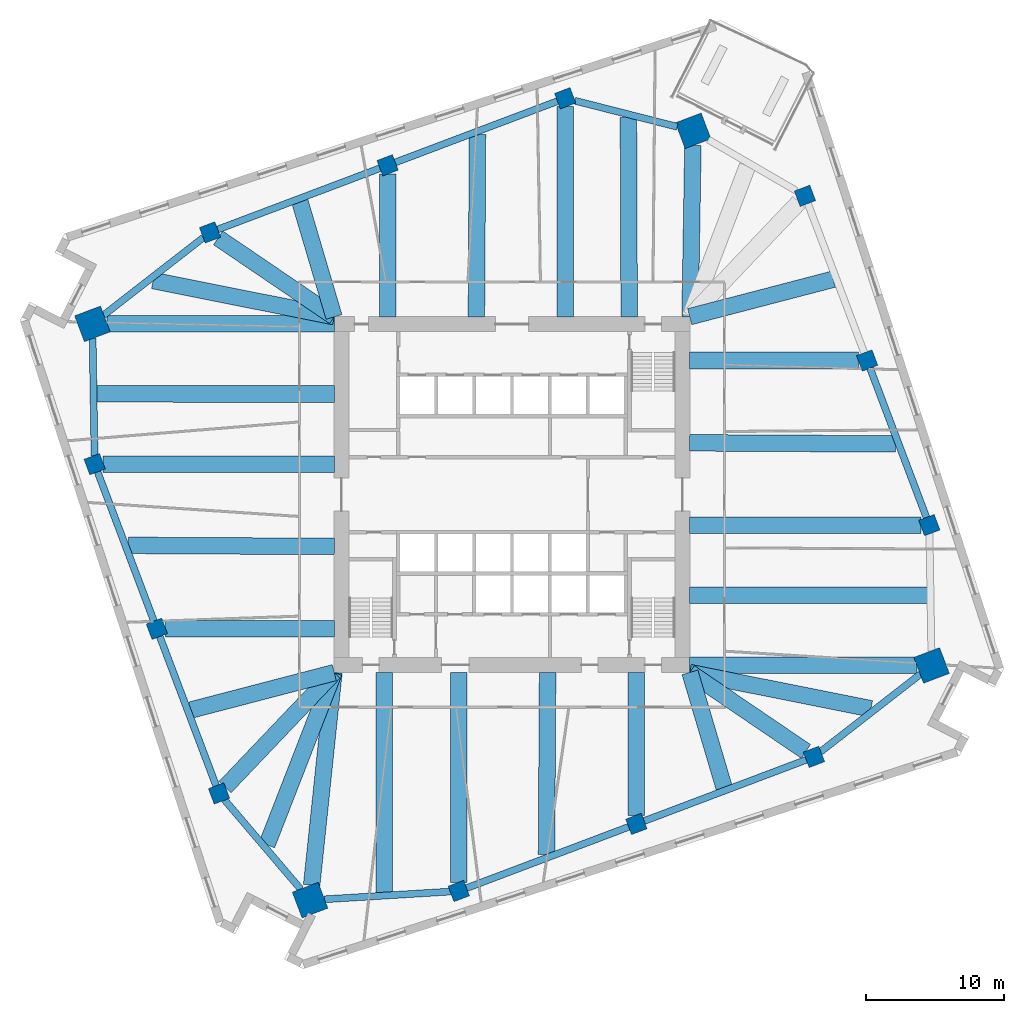
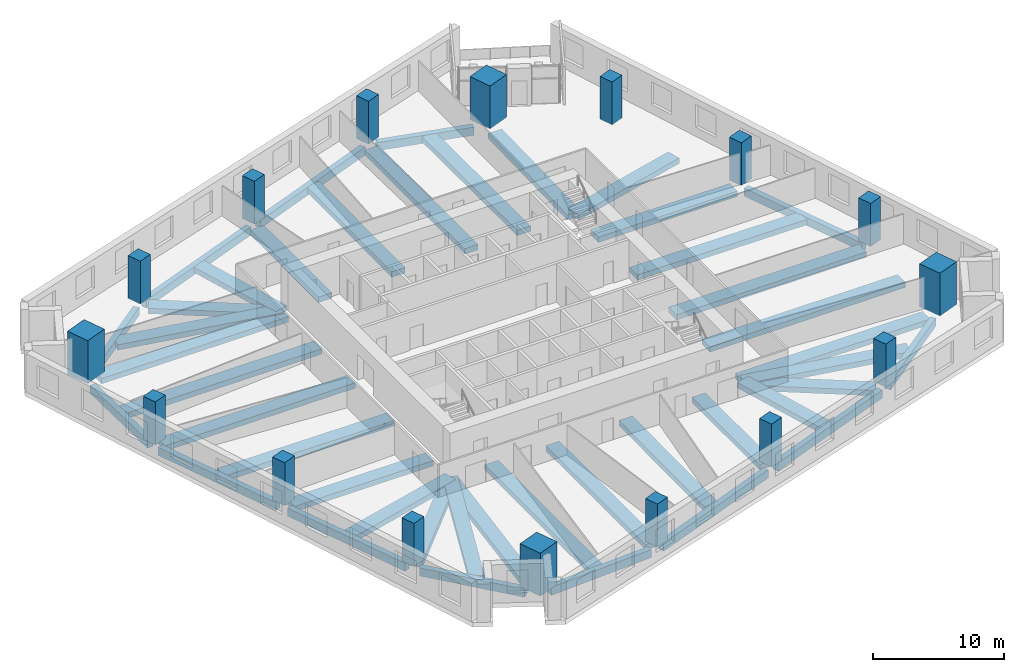
# One storey, part 1 of 12: 43 beams, 16 columns.
"""IFC4 building model written with IfcOpenShell, lengths in metres."""

from ifc_helpers import new_model, si_unit, direction, frame, origin, origin_2d, place, context, subcontext, project, spatial, rectangle, extrude, material, material_profile, profile_set, type_object, element, save


model = new_model("IFC4")

# Units and contexts
model_context = context("Model", 3, precision=1e-05, world=origin(), true_north=direction((0.0, 1.0)))
body_context = subcontext(model_context, "Body", "Model", "MODEL_VIEW")
ifc_project = project(units=[si_unit("LENGTHUNIT", "METRE"), si_unit("AREAUNIT", "SQUARE_METRE"), si_unit("VOLUMEUNIT", "CUBIC_METRE"), si_unit("PLANEANGLEUNIT", "RADIAN"), si_unit("MASSUNIT", "GRAM", prefix="KILO")], contexts=[model_context])

# Site, building, storey
site_placement = place(None, origin())
site = spatial("IfcSite", under=ifc_project, at=site_placement, CompositionType="ELEMENT")
building_placement = place(site_placement, origin())
building = spatial("IfcBuilding", under=site, at=building_placement, Name="Dilmun Exchange Tower", CompositionType="ELEMENT")
storey_placement = place(building_placement, frame((0.0, 0.0, 90.10009765625)))
storey = spatial("IfcBuildingStorey", under=building, at=storey_placement, Name="L20", CompositionType="ELEMENT", Elevation=90.10009765625)

# Columns
ifc_material_1 = material(Name="Concrete C70/85", Category="concrete")
ifc_material_profile_1 = material_profile(ifc_material_1, rectangle(XDim=2.0, YDim=2.0, at=origin_2d()), Name="2000 x 2000")
ifc_profile_set_1 = profile_set([ifc_material_profile_1], Name="Concrete C70/85")
column_type_1 = type_object("IfcColumnType", Name="RC mega column 2000 x 2000 C70/85", PredefinedType="COLUMN", material=ifc_profile_set_1)
for number, where, z_axis, x_axis, name in (
    (1, (13.1220703125, 26.35400390625, 0.0), (0.0, 0.0, 1.0), (0.935491525991, 0.353349125935, 0.0), "Mega column M1"),
    (2, (-30.39404296875, 12.37109375, 0.0), (0.0, 0.0, 1.0), (0.935491525991, 0.353349125935, 0.0), "Mega column M2"),
    (3, (-14.6259765625, -29.3759765625, 0.0), (0.0, 0.0, 1.0), (0.935491525991, 0.353349125935, 0.0), "Mega column M3"),
    (4, (30.39404296875, -12.37109375, 0.0), (0.0, 0.0, 1.0), (0.935491525991, 0.353349125935, 0.0), "Mega column M4"),
):
    element("IfcColumn", number, at=place(storey_placement, frame(where, z_axis=z_axis, x_axis=x_axis)), inside=storey, type_object=column_type_1, Name=name, PredefinedType="COLUMN", context=body_context, shape_type="SweptSolid", body=[
        extrude(rectangle(XDim=2.0, YDim=2.0, at=origin_2d()), origin(), (0.0, 0.0, 1.0), 4.0),
    ])
ifc_material_profile_2 = material_profile(ifc_material_1, rectangle(XDim=1.199951171875, YDim=1.199951171875, at=origin_2d()), Name="1200 x 1200")
ifc_profile_set_2 = profile_set([ifc_material_profile_2], Name="Concrete C70/85")
column_type_2 = type_object("IfcColumnType", Name="RC ring column 1200 x 1200 C70/85", PredefinedType="COLUMN", material=ifc_profile_set_2)
for number, where, z_axis, x_axis, name in (
    (5, (3.85302734375, 28.714111328125, 0.0), (0.0, 0.0, 1.0), (0.935491525991, 0.353349125935, 0.0), "Ring column R01"),
    (6, (-9.010009765625, 23.85498046875, 0.0), (0.0, 0.0, 1.0), (0.935491525991, 0.353349125935, 0.0), "Ring column R02"),
    (7, (-21.873046875, 18.99609375, 0.0), (0.0, 0.0, 1.0), (0.935491525991, 0.353349125935, 0.0), "Ring column R03"),
    (8, (-30.23095703125, 2.2099609375, 0.0), (0.0, 0.0, 1.0), (0.935491525991, 0.353349125935, 0.0), "Ring column R04"),
    (9, (-25.72607421875, -9.717041015625, 0.0), (0.0, 0.0, 1.0), (0.935491525991, 0.353349125935, 0.0), "Ring column R05"),
    (10, (-21.220947265625, -21.64501953125, 0.0), (0.0, 0.0, 1.0), (0.935491525991, 0.353349125935, 0.0), "Ring column R06"),
    (11, (-3.85302734375, -28.714111328125, 0.0), (0.0, 0.0, 1.0), (0.935491525991, 0.353349125935, 0.0), "Ring column R07"),
    (12, (9.010009765625, -23.85498046875, 0.0), (0.0, 0.0, 1.0), (0.935491525991, 0.353349125935, 0.0), "Ring column R08"),
    (13, (21.873046875, -18.99609375, 0.0), (0.0, 0.0, 1.0), (0.935491525991, 0.353349125935, 0.0), "Ring column R09"),
    (14, (30.23095703125, -2.2099609375, 0.0), (0.0, 0.0, 1.0), (0.935491525991, 0.353349125935, 0.0), "Ring column R10"),
    (15, (25.72607421875, 9.717041015625, 0.0), (0.0, 0.0, 1.0), (0.935491525991, 0.353349125935, 0.0), "Ring column R11"),
    (16, (21.220947265625, 21.64501953125, 0.0), (0.0, 0.0, 1.0), (0.935491525991, 0.353349125935, 0.0), "Ring column R12"),
):
    element("IfcColumn", number, at=place(storey_placement, frame(where, z_axis=z_axis, x_axis=x_axis)), inside=storey, type_object=column_type_2, Name=name, PredefinedType="COLUMN", context=body_context, shape_type="SweptSolid", body=[
        extrude(rectangle(XDim=1.199951171875, YDim=1.199951171875, at=origin_2d()), origin(), (0.0, 0.0, 1.0), 4.0),
    ])

# Beams
ifc_material_2 = material(Name="Concrete C40/50", Category="concrete")
ifc_material_profile_3 = material_profile(ifc_material_2, rectangle(XDim=1.199951171875, YDim=0.5, at=origin_2d()), Name="1200 x 500")
ifc_profile_set_3 = profile_set([ifc_material_profile_3], Name="Concrete C40/50")
beam_type_1 = type_object("IfcBeamType", Name="RC band beam 1200 x 500 C40/50", PredefinedType="BEAM", material=ifc_profile_set_3)
beam_1_placement = place(storey_placement, frame((13.104736328125, 25.305419921875, -0.77001953125), z_axis=(-0.016493249431, -0.99986397711, 0.0), x_axis=(0.99986397711, -0.016493249431, 0.0)))
element("IfcBeam", 17, at=beam_1_placement, inside=storey, type_object=beam_type_1, Name="Band beam 1", PredefinedType="BEAM", context=body_context, shape_type="SweptSolid", body=[
    extrude(rectangle(XDim=1.199951171875, YDim=0.5, at=origin_2d()), origin(), (0.0, 0.0, 1.0), 12.43408203125),
])
beam_2_placement = place(storey_placement, frame((3.85302734375, 28.099609375, -0.77001953125), z_axis=(0.0, -1.0, 0.0), x_axis=(1.0, 0.0, 0.0)))
element("IfcBeam", 18, at=beam_2_placement, inside=storey, type_object=beam_type_1, Name="Band beam 2", PredefinedType="BEAM", context=body_context, shape_type="SweptSolid", body=[
    extrude(rectangle(XDim=1.199951171875, YDim=0.5, at=origin_2d()), origin(), (0.0, 0.0, 1.0), 15.2265625),
])
beam_3_placement = place(storey_placement, frame((-9.010009765625, 23.240478515625, -0.77001953125), z_axis=(0.0, -1.0, 0.0), x_axis=(1.0, 0.0, 0.0)))
element("IfcBeam", 19, at=beam_3_placement, inside=storey, type_object=beam_type_1, Name="Band beam 3", PredefinedType="BEAM", context=body_context, shape_type="SweptSolid", body=[
    extrude(rectangle(XDim=1.199951171875, YDim=0.5, at=origin_2d()), origin(), (0.0, 0.0, 1.0), 10.367431640625),
])
beam_4_placement = place(storey_placement, frame((-21.28857421875, 18.59912109375, -0.77001953125), z_axis=(0.827157308771, -0.561970449888, 0.0), x_axis=(0.561970449888, 0.827157308771, 0.0)))
element("IfcBeam", 20, at=beam_4_placement, inside=storey, type_object=beam_type_1, Name="Band beam 4", PredefinedType="BEAM", context=body_context, shape_type="SweptSolid", body=[
    extrude(rectangle(XDim=1.199951171875, YDim=0.5, at=origin_2d()), origin(), (0.0, 0.0, 1.0), 10.16845703125),
])
beam_5_placement = place(storey_placement, frame((-29.35205078125, 12.37109375, -0.77001953125), z_axis=(1.0, 0.0, 0.0), x_axis=(0.0, 1.0, 0.0)))
element("IfcBeam", 21, at=beam_5_placement, inside=storey, type_object=beam_type_1, Name="Band beam 5", PredefinedType="BEAM", context=body_context, shape_type="SweptSolid", body=[
    extrude(rectangle(XDim=1.199951171875, YDim=0.5, at=origin_2d()), origin(), (0.0, 0.0, 1.0), 16.47900390625),
])
beam_6_placement = place(storey_placement, frame((-29.61669921875, 2.2099609375, -0.77001953125), z_axis=(1.0, 0.0, 0.0), x_axis=(0.0, 1.0, 0.0)))
element("IfcBeam", 22, at=beam_6_placement, inside=storey, type_object=beam_type_1, Name="Band beam 6", PredefinedType="BEAM", context=body_context, shape_type="SweptSolid", body=[
    extrude(rectangle(XDim=1.199951171875, YDim=0.5, at=origin_2d()), origin(), (0.0, 0.0, 1.0), 16.74365234375),
])
beam_7_placement = place(storey_placement, frame((-25.111572265625, -9.717041015625, -0.77001953125), z_axis=(1.0, 0.0, 0.0), x_axis=(0.0, 1.0, 0.0)))
element("IfcBeam", 23, at=beam_7_placement, inside=storey, type_object=beam_type_1, Name="Band beam 7", PredefinedType="BEAM", context=body_context, shape_type="SweptSolid", body=[
    extrude(rectangle(XDim=1.199951171875, YDim=0.5, at=origin_2d()), origin(), (0.0, 0.0, 1.0), 12.238525390625),
])
beam_8_placement = place(storey_placement, frame((-20.780517578125, -21.181884765625, -0.77001953125), z_axis=(0.689333244672, 0.724444392476, 0.0), x_axis=(-0.724444392476, 0.689333244672, 0.0)))
element("IfcBeam", 24, at=beam_8_placement, inside=storey, type_object=beam_type_1, Name="Band beam 8", PredefinedType="BEAM", context=body_context, shape_type="SweptSolid", body=[
    extrude(rectangle(XDim=1.199951171875, YDim=0.5, at=origin_2d()), origin(), (0.0, 0.0, 1.0), 11.459228515625),
])
beam_9_placement = place(storey_placement, frame((-14.51220703125, -28.289794921875, -0.77001953125), z_axis=(0.104185478447, 0.994557884731, 0.0), x_axis=(-0.994557884731, 0.104185478447, 0.0)))
element("IfcBeam", 25, at=beam_9_placement, inside=storey, type_object=beam_type_1, Name="Band beam 9", PredefinedType="BEAM", context=body_context, shape_type="SweptSolid", body=[
    extrude(rectangle(XDim=1.199951171875, YDim=0.5, at=origin_2d()), origin(), (0.0, 0.0, 1.0), 15.501220703125),
])
beam_10_placement = place(storey_placement, frame((-3.85302734375, -28.099609375, -0.77001953125), z_axis=(0.0, 1.0, 0.0), x_axis=(-1.0, 0.0, 0.0)))
element("IfcBeam", 26, at=beam_10_placement, inside=storey, type_object=beam_type_1, Name="Band beam 10", PredefinedType="BEAM", context=body_context, shape_type="SweptSolid", body=[
    extrude(rectangle(XDim=1.199951171875, YDim=0.5, at=origin_2d()), origin(), (0.0, 0.0, 1.0), 15.2265625),
])
beam_11_placement = place(storey_placement, frame((9.010009765625, -23.240478515625, -0.77001953125), z_axis=(0.0, 1.0, 0.0), x_axis=(-1.0, 0.0, 0.0)))
element("IfcBeam", 27, at=beam_11_placement, inside=storey, type_object=beam_type_1, Name="Band beam 11", PredefinedType="BEAM", context=body_context, shape_type="SweptSolid", body=[
    extrude(rectangle(XDim=1.199951171875, YDim=0.5, at=origin_2d()), origin(), (0.0, 0.0, 1.0), 10.367431640625),
])
beam_12_placement = place(storey_placement, frame((21.28857421875, -18.59912109375, -0.77001953125), z_axis=(-0.827157308771, 0.561970449888, 0.0), x_axis=(-0.561970449888, -0.827157308771, 0.0)))
element("IfcBeam", 28, at=beam_12_placement, inside=storey, type_object=beam_type_1, Name="Band beam 12", PredefinedType="BEAM", context=body_context, shape_type="SweptSolid", body=[
    extrude(rectangle(XDim=1.199951171875, YDim=0.5, at=origin_2d()), origin(), (0.0, 0.0, 1.0), 10.16845703125),
])
beam_13_placement = place(storey_placement, frame((29.35205078125, -12.37109375, -0.77001953125), z_axis=(-1.0, 0.0, 0.0), x_axis=(0.0, -1.0, 0.0)))
element("IfcBeam", 29, at=beam_13_placement, inside=storey, type_object=beam_type_1, Name="Band beam 13", PredefinedType="BEAM", context=body_context, shape_type="SweptSolid", body=[
    extrude(rectangle(XDim=1.199951171875, YDim=0.5, at=origin_2d()), origin(), (0.0, 0.0, 1.0), 16.47900390625),
])
beam_14_placement = place(storey_placement, frame((29.61669921875, -2.2099609375, -0.77001953125), z_axis=(-1.0, 0.0, 0.0), x_axis=(0.0, -1.0, 0.0)))
element("IfcBeam", 30, at=beam_14_placement, inside=storey, type_object=beam_type_1, Name="Band beam 14", PredefinedType="BEAM", context=body_context, shape_type="SweptSolid", body=[
    extrude(rectangle(XDim=1.199951171875, YDim=0.5, at=origin_2d()), origin(), (0.0, 0.0, 1.0), 16.74365234375),
])
beam_15_placement = place(storey_placement, frame((25.111572265625, 9.717041015625, -0.77001953125), z_axis=(-1.0, 0.0, 0.0), x_axis=(0.0, -1.0, 0.0)))
element("IfcBeam", 31, at=beam_15_placement, inside=storey, type_object=beam_type_1, Name="Band beam 15", PredefinedType="BEAM", context=body_context, shape_type="SweptSolid", body=[
    extrude(rectangle(XDim=1.199951171875, YDim=0.5, at=origin_2d()), origin(), (0.0, 0.0, 1.0), 12.238525390625),
])
beam_16_placement = place(storey_placement, frame((8.4326171875, 27.31787109375, -0.670166015625), z_axis=(0.003802832253, -0.999992769207, 0.0), x_axis=(0.999992769207, 0.003802832253, 0.0)))
element("IfcBeam", 32, at=beam_16_placement, inside=storey, type_object=beam_type_1, Name="Band beam 17", PredefinedType="BEAM", context=body_context, shape_type="SweptSolid", body=[
    extrude(rectangle(XDim=1.199951171875, YDim=0.5, at=origin_2d()), origin(), (0.0, 0.0, 1.0), 14.44482421875),
])
beam_17_placement = place(storey_placement, frame((-2.499755859375, 26.075927734375, -0.670166015625), z_axis=(-0.005972637047, -0.999982163644, 0.0), x_axis=(0.999982163644, -0.005972637047, 0.0)))
element("IfcBeam", 33, at=beam_17_placement, inside=storey, type_object=beam_type_1, Name="Band beam 18", PredefinedType="BEAM", context=body_context, shape_type="SweptSolid", body=[
    extrude(rectangle(XDim=1.199951171875, YDim=0.5, at=origin_2d()), origin(), (0.0, 0.0, 1.0), 13.203125),
])
beam_18_placement = place(storey_placement, frame((-15.36279296875, 21.216796875, -0.670166015625), z_axis=(0.283932601838, -0.958844240538, 0.0), x_axis=(0.958844240538, 0.283932601838, 0.0)))
element("IfcBeam", 34, at=beam_18_placement, inside=storey, type_object=beam_type_1, Name="Band beam 19", PredefinedType="BEAM", context=body_context, shape_type="SweptSolid", body=[
    extrude(rectangle(XDim=1.199951171875, YDim=0.5, at=origin_2d()), origin(), (0.0, 0.0, 1.0), 8.700927734375),
])
beam_19_placement = place(storey_placement, frame((-25.99658203125, 15.50732421875, -0.670166015625), z_axis=(0.980746640289, -0.19528447855, 0.0), x_axis=(0.19528447855, 0.980746640289, 0.0)))
element("IfcBeam", 35, at=beam_19_placement, inside=storey, type_object=beam_type_1, Name="Band beam 20", PredefinedType="BEAM", context=body_context, shape_type="SweptSolid", body=[
    extrude(rectangle(XDim=1.199951171875, YDim=0.5, at=origin_2d()), origin(), (0.0, 0.0, 1.0), 13.380615234375),
])
beam_20_placement = place(storey_placement, frame((-30.089599609375, 7.294189453125, -0.670166015625), z_axis=(0.999999977378, -0.000212708627, 0.0), x_axis=(0.000212708627, 0.999999977378, 0.0)))
element("IfcBeam", 36, at=beam_20_placement, inside=storey, type_object=beam_type_1, Name="Band beam 21", PredefinedType="BEAM", context=body_context, shape_type="SweptSolid", body=[
    extrude(rectangle(XDim=1.199951171875, YDim=0.5, at=origin_2d()), origin(), (0.0, 0.0, 1.0), 17.216552734375),
])
beam_21_placement = place(storey_placement, frame((-27.77001953125, -3.6748046875, -0.670166015625), z_axis=(0.999986076233, -0.005277057861, 0.0), x_axis=(0.005277057861, 0.999986076233, 0.0)))
element("IfcBeam", 37, at=beam_21_placement, inside=storey, type_object=beam_type_1, Name="Band beam 22", PredefinedType="BEAM", context=body_context, shape_type="SweptSolid", body=[
    extrude(rectangle(XDim=1.199951171875, YDim=0.5, at=origin_2d()), origin(), (0.0, 0.0, 1.0), 14.897216796875),
])
beam_22_placement = place(storey_placement, frame((-23.264892578125, -15.602294921875, -0.670166015625), z_axis=(0.967651305888, 0.252291399404, 0.0), x_axis=(-0.252291399404, 0.967651305888, 0.0)))
element("IfcBeam", 38, at=beam_22_placement, inside=storey, type_object=beam_type_1, Name="Band beam 23", PredefinedType="BEAM", context=body_context, shape_type="SweptSolid", body=[
    extrude(rectangle(XDim=1.199951171875, YDim=0.5, at=origin_2d()), origin(), (0.0, 0.0, 1.0), 10.738525390625),
])
beam_23_placement = place(storey_placement, frame((-17.75390625, -25.36572265625, -0.670166015625), z_axis=(0.362868113779, 0.931840507814, 0.0), x_axis=(-0.931840507814, 0.362868113779, 0.0)))
element("IfcBeam", 39, at=beam_23_placement, inside=storey, type_object=beam_type_1, Name="Band beam 24", PredefinedType="BEAM", context=body_context, shape_type="SweptSolid", body=[
    extrude(rectangle(XDim=1.199951171875, YDim=0.5, at=origin_2d()), origin(), (0.0, 0.0, 1.0), 13.404296875),
])
beam_24_placement = place(storey_placement, frame((-9.253173828125, -28.822509765625, -0.670166015625), z_axis=(0.000857199397, 0.999999632605, 0.0), x_axis=(-0.999999632605, 0.000857199397, 0.0)))
element("IfcBeam", 40, at=beam_24_placement, inside=storey, type_object=beam_type_1, Name="Band beam 25", PredefinedType="BEAM", context=body_context, shape_type="SweptSolid", body=[
    extrude(rectangle(XDim=1.199951171875, YDim=0.5, at=origin_2d()), origin(), (0.0, 0.0, 1.0), 15.949462890625),
])
beam_25_placement = place(storey_placement, frame((2.499755859375, -26.075927734375, -0.670166015625), z_axis=(0.005972637047, 0.999982163644, 0.0), x_axis=(-0.999982163644, 0.005972637047, 0.0)))
element("IfcBeam", 41, at=beam_25_placement, inside=storey, type_object=beam_type_1, Name="Band beam 26", PredefinedType="BEAM", context=body_context, shape_type="SweptSolid", body=[
    extrude(rectangle(XDim=1.199951171875, YDim=0.5, at=origin_2d()), origin(), (0.0, 0.0, 1.0), 13.203125),
])
beam_26_placement = place(storey_placement, frame((15.36279296875, -21.216796875, -0.670166015625), z_axis=(-0.283932601838, 0.958844240538, 0.0), x_axis=(-0.958844240538, -0.283932601838, 0.0)))
element("IfcBeam", 42, at=beam_26_placement, inside=storey, type_object=beam_type_1, Name="Band beam 27", PredefinedType="BEAM", context=body_context, shape_type="SweptSolid", body=[
    extrude(rectangle(XDim=1.199951171875, YDim=0.5, at=origin_2d()), origin(), (0.0, 0.0, 1.0), 8.700927734375),
])
beam_27_placement = place(storey_placement, frame((25.99658203125, -15.50732421875, -0.670166015625), z_axis=(-0.980746640289, 0.19528447855, 0.0), x_axis=(-0.19528447855, -0.980746640289, 0.0)))
element("IfcBeam", 43, at=beam_27_placement, inside=storey, type_object=beam_type_1, Name="Band beam 28", PredefinedType="BEAM", context=body_context, shape_type="SweptSolid", body=[
    extrude(rectangle(XDim=1.199951171875, YDim=0.5, at=origin_2d()), origin(), (0.0, 0.0, 1.0), 13.380615234375),
])
beam_28_placement = place(storey_placement, frame((30.089599609375, -7.294189453125, -0.670166015625), z_axis=(-0.999999977378, 0.000212708627, 0.0), x_axis=(-0.000212708627, -0.999999977378, 0.0)))
element("IfcBeam", 44, at=beam_28_placement, inside=storey, type_object=beam_type_1, Name="Band beam 29", PredefinedType="BEAM", context=body_context, shape_type="SweptSolid", body=[
    extrude(rectangle(XDim=1.199951171875, YDim=0.5, at=origin_2d()), origin(), (0.0, 0.0, 1.0), 17.216552734375),
])
beam_29_placement = place(storey_placement, frame((27.77001953125, 3.6748046875, -0.670166015625), z_axis=(-0.999986076233, 0.005277057861, 0.0), x_axis=(-0.005277057861, -0.999986076233, 0.0)))
element("IfcBeam", 45, at=beam_29_placement, inside=storey, type_object=beam_type_1, Name="Band beam 30", PredefinedType="BEAM", context=body_context, shape_type="SweptSolid", body=[
    extrude(rectangle(XDim=1.199951171875, YDim=0.5, at=origin_2d()), origin(), (0.0, 0.0, 1.0), 14.897216796875),
])
beam_30_placement = place(storey_placement, frame((23.264892578125, 15.602294921875, -0.670166015625), z_axis=(-0.967651305888, -0.252291399404, 0.0), x_axis=(0.252291399404, -0.967651305888, 0.0)))
element("IfcBeam", 46, at=beam_30_placement, inside=storey, type_object=beam_type_1, Name="Band beam 31", PredefinedType="BEAM", context=body_context, shape_type="SweptSolid", body=[
    extrude(rectangle(XDim=1.199951171875, YDim=0.5, at=origin_2d()), origin(), (0.0, 0.0, 1.0), 10.738525390625),
])
ifc_material_profile_4 = material_profile(ifc_material_2, rectangle(XDim=0.5, YDim=0.75, at=origin_2d()), Name="500 x 750")
ifc_profile_set_4 = profile_set([ifc_material_profile_4], Name="Concrete C40/50")
beam_type_2 = type_object("IfcBeamType", Name="RC ring beam 500 x 750 C40/50", PredefinedType="SPANDREL", material=ifc_profile_set_4)
beam_31_placement = place(storey_placement, frame((11.965576171875, 26.6484375, -0.795166015625), z_axis=(-0.969078622485, 0.246752149825, 0.0), x_axis=(-0.246752149825, -0.969078622485, 0.0)))
element("IfcBeam", 47, at=beam_31_placement, inside=storey, type_object=beam_type_2, Name="Ring beam 1", PredefinedType="SPANDREL", context=body_context, shape_type="SweptSolid", body=[
    extrude(rectangle(XDim=0.5, YDim=0.75, at=origin_2d()), origin(), (0.0, 0.0, 1.0), 7.666015625),
])
for number, where, z_axis, x_axis, name in (
    (48, (3.31689453125, 28.511474609375, -0.795166015625), (-0.935485896268, -0.353364030264, 0.0), (0.353364030264, -0.935485896268, 0.0), "Ring beam 2"),
    (49, (-9.5458984375, 23.652587890625, -0.795166015625), (-0.935479493126, -0.353380981294, 0.0), (0.353380981294, -0.935479493126, 0.0), "Ring beam 3"),
):
    element("IfcBeam", number, at=place(storey_placement, frame(where, z_axis=z_axis, x_axis=x_axis)), inside=storey, type_object=beam_type_2, Name=name, PredefinedType="SPANDREL", context=body_context, shape_type="SweptSolid", body=[
        extrude(rectangle(XDim=0.5, YDim=0.75, at=origin_2d()), origin(), (0.0, 0.0, 1.0), 12.604248046875),
    ])
beam_32_placement = place(storey_placement, frame((-22.347412109375, 18.627197265625, -0.795166015625), z_axis=(-0.789461122688, -0.613800566767, 0.0), x_axis=(0.613800566767, -0.789461122688, 0.0)))
element("IfcBeam", 50, at=beam_32_placement, inside=storey, type_object=beam_type_2, Name="Ring beam 4", PredefinedType="SPANDREL", context=body_context, shape_type="SweptSolid", body=[
    extrude(rectangle(XDim=0.5, YDim=0.75, at=origin_2d()), origin(), (0.0, 0.0, 1.0), 9.1728515625),
])
beam_33_placement = place(storey_placement, frame((-30.37744140625, 11.33544921875, -0.795166015625), z_axis=(0.016054357527, -0.999871120497, 0.0), x_axis=(0.999871120497, 0.016054357527, 0.0)))
element("IfcBeam", 51, at=beam_33_placement, inside=storey, type_object=beam_type_2, Name="Ring beam 5", PredefinedType="SPANDREL", context=body_context, shape_type="SweptSolid", body=[
    extrude(rectangle(XDim=0.5, YDim=0.75, at=origin_2d()), origin(), (0.0, 0.0, 1.0), 8.515869140625),
])
beam_34_placement = place(storey_placement, frame((-30.028564453125, 1.674072265625, -0.795166015625), z_axis=(0.353349831573, -0.935491259461, 0.0), x_axis=(0.935491259461, 0.353349831573, 0.0)))
element("IfcBeam", 52, at=beam_34_placement, inside=storey, type_object=beam_type_2, Name="Ring beam 6", PredefinedType="SPANDREL", context=body_context, shape_type="SweptSolid", body=[
    extrude(rectangle(XDim=0.5, YDim=0.75, at=origin_2d()), origin(), (0.0, 0.0, 1.0), 11.603515625),
])
beam_35_placement = place(storey_placement, frame((-25.5234375, -10.2529296875, -0.795166015625), z_axis=(0.353303601311, -0.935508720056, 0.0), x_axis=(0.935508720056, 0.353303601311, 0.0)))
element("IfcBeam", 53, at=beam_35_placement, inside=storey, type_object=beam_type_2, Name="Ring beam 7", PredefinedType="SPANDREL", context=body_context, shape_type="SweptSolid", body=[
    extrude(rectangle(XDim=0.5, YDim=0.75, at=origin_2d()), origin(), (0.0, 0.0, 1.0), 11.604248046875),
])
beam_36_placement = place(storey_placement, frame((-20.82470703125, -22.109619140625, -0.795166015625), z_axis=(0.64900225023, -0.76078648726, 0.0), x_axis=(0.76078648726, 0.64900225023, 0.0)))
element("IfcBeam", 54, at=beam_36_placement, inside=storey, type_object=beam_type_2, Name="Ring beam 8", PredefinedType="SPANDREL", context=body_context, shape_type="SweptSolid", body=[
    extrude(rectangle(XDim=0.5, YDim=0.75, at=origin_2d()), origin(), (0.0, 0.0, 1.0), 8.515625),
])
beam_37_placement = place(storey_placement, frame((-13.608154296875, -29.3134765625, -0.795166015625), z_axis=(0.998117890072, 0.061324363166, 0.0), x_axis=(-0.061324363166, 0.998117890072, 0.0)))
element("IfcBeam", 55, at=beam_37_placement, inside=storey, type_object=beam_type_2, Name="Ring beam 9", PredefinedType="SPANDREL", context=body_context, shape_type="SweptSolid", body=[
    extrude(rectangle(XDim=0.5, YDim=0.75, at=origin_2d()), origin(), (0.0, 0.0, 1.0), 9.172607421875),
])
for number, where, z_axis, x_axis, name in (
    (56, (-3.31689453125, -28.511474609375, -0.795166015625), (0.935485896268, 0.353364030264, 0.0), (-0.353364030264, 0.935485896268, 0.0), "Ring beam 10"),
    (57, (9.5458984375, -23.652587890625, -0.795166015625), (0.935479493126, 0.353380981294, 0.0), (-0.353380981294, 0.935479493126, 0.0), "Ring beam 11"),
):
    element("IfcBeam", number, at=place(storey_placement, frame(where, z_axis=z_axis, x_axis=x_axis)), inside=storey, type_object=beam_type_2, Name=name, PredefinedType="SPANDREL", context=body_context, shape_type="SweptSolid", body=[
        extrude(rectangle(XDim=0.5, YDim=0.75, at=origin_2d()), origin(), (0.0, 0.0, 1.0), 12.604248046875),
    ])
beam_38_placement = place(storey_placement, frame((22.347412109375, -18.627197265625, -0.795166015625), z_axis=(0.789461122688, 0.613800566767, 0.0), x_axis=(-0.613800566767, 0.789461122688, 0.0)))
element("IfcBeam", 58, at=beam_38_placement, inside=storey, type_object=beam_type_2, Name="Ring beam 12", PredefinedType="SPANDREL", context=body_context, shape_type="SweptSolid", body=[
    extrude(rectangle(XDim=0.5, YDim=0.75, at=origin_2d()), origin(), (0.0, 0.0, 1.0), 9.1728515625),
])
beam_39_placement = place(storey_placement, frame((30.028564453125, -1.674072265625, -0.795166015625), z_axis=(-0.353349831573, 0.935491259461, 0.0), x_axis=(-0.935491259461, -0.353349831573, 0.0)))
element("IfcBeam", 59, at=beam_39_placement, inside=storey, type_object=beam_type_2, Name="Ring beam 14", PredefinedType="SPANDREL", context=body_context, shape_type="SweptSolid", body=[
    extrude(rectangle(XDim=0.5, YDim=0.75, at=origin_2d()), origin(), (0.0, 0.0, 1.0), 11.603515625),
])

save(model, "model.ifc")
